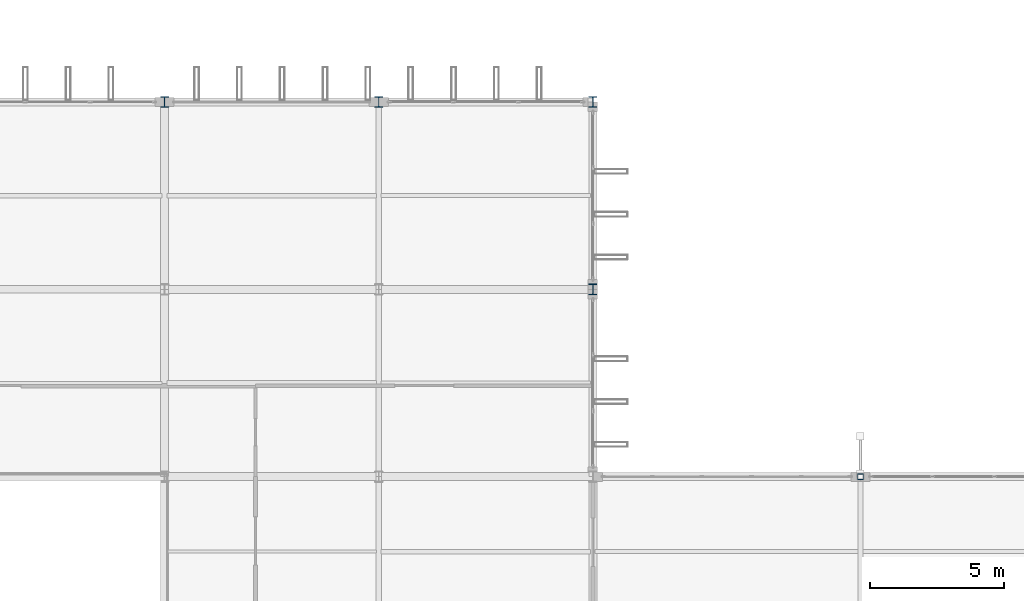
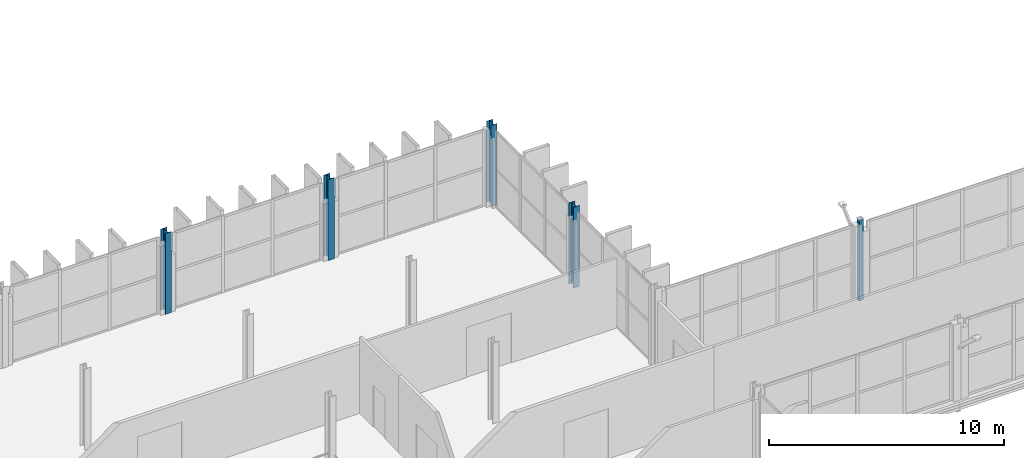
# One storey, part 8 of 101: 5 columns.
"""IFC4 building model written with IfcOpenShell, lengths in metres."""

from ifc_helpers import new_model, si_unit, direction, frame, origin, origin_2d, place, context, subcontext, project, spatial, hollow_rectangle, i_section, extrude, material, material_profile, profile_set, type_object, element, save


model = new_model("IFC4")

# Units and contexts
model_context = context("Model", 3, precision=1e-05, world=origin(), true_north=direction((0.0, 1.0)))
body_context = subcontext(model_context, "Body", "Model", "MODEL_VIEW")
ifc_project = project(units=[si_unit("LENGTHUNIT", "METRE"), si_unit("AREAUNIT", "SQUARE_METRE"), si_unit("VOLUMEUNIT", "CUBIC_METRE"), si_unit("PLANEANGLEUNIT", "RADIAN"), si_unit("MASSUNIT", "GRAM", prefix="KILO")], contexts=[model_context])

# Site, building, storey
site_placement = place(None, origin())
site = spatial("IfcSite", under=ifc_project, at=site_placement, CompositionType="ELEMENT")
building_placement = place(site_placement, origin())
building = spatial("IfcBuilding", under=site, at=building_placement, Name="Vekula Escarpment Museum", CompositionType="ELEMENT")
storey_placement = place(building_placement, frame((0.0, 0.0, 18.0)))
storey = spatial("IfcBuildingStorey", under=building, at=storey_placement, Name="L04", CompositionType="ELEMENT", Elevation=18.0)

# Columns
ifc_material_1 = material(Name="Steel S355", Category="steel")
ifc_material_profile_1 = material_profile(ifc_material_1, i_section(OverallWidth=0.300048828125, OverallDepth=0.39990234375, WebThickness=0.013427734375, FlangeThickness=0.02392578125, FilletRadius=0.027099609375, at=origin_2d()), Name="HEB 400")
ifc_profile_set_1 = profile_set([ifc_material_profile_1], Name="Steel S355")
column_type_1 = type_object("IfcColumnType", Name="COL-S-HEB400", PredefinedType="COLUMN", material=ifc_profile_set_1)
for number, where, z_axis, x_axis, name in (
    (1, (110.0, 90.39990234375, 0.0), (0.0, 0.0, 1.0), (1.0, 0.0, 0.0), "Column L04 (110.0,90.4)"),
    (2, (118.0, 90.39990234375, 0.0), (0.0, 0.0, 1.0), (1.0, 0.0, 0.0), "Column L04 (118.0,90.4)"),
    (3, (126.0, 83.39990234375, 0.0), (0.0, 0.0, 1.0), (1.0, 0.0, 0.0), "Column L04 (126.0,83.4)"),
    (4, (126.0, 90.39990234375, 0.0), (0.0, 0.0, 1.0), (1.0, 0.0, 0.0), "Column L04 (126.0,90.4)"),
):
    element("IfcColumn", number, at=place(storey_placement, frame(where, z_axis=z_axis, x_axis=x_axis)), inside=storey, type_object=column_type_1, Name=name, PredefinedType="COLUMN", context=body_context, shape_type="SweptSolid", body=[
        extrude(i_section(OverallWidth=0.300048828125, OverallDepth=0.39990234375, WebThickness=0.013427734375, FlangeThickness=0.02392578125, FilletRadius=0.027099609375, at=origin_2d()), origin(), (0.0, 0.0, 1.0), 4.199951171875),
    ])
ifc_material_2 = material(Name="Steel S355", Category="steel")
ifc_material_profile_2 = material_profile(ifc_material_2, hollow_rectangle(XDim=0.219970703125, YDim=0.219970703125, WallThickness=0.011962890625, InnerFilletRadius=0.011962890625, OuterFilletRadius=0.02392578125, at=origin_2d()), Name="SHS 220x220x12")
ifc_profile_set_2 = profile_set([ifc_material_profile_2], Name="Steel S355")
column_type_2 = type_object("IfcColumnType", Name="COL-S-SHS220", PredefinedType="COLUMN", material=ifc_profile_set_2)
column_placement = place(storey_placement, frame((136.0, 76.39990234375, 0.0), z_axis=(0.0, 0.0, 1.0), x_axis=(1.0, 0.0, 0.0)))
element("IfcColumn", 5, at=column_placement, inside=storey, type_object=column_type_2, Name="Column L04 (136.0,76.4)", PredefinedType="COLUMN", context=body_context, shape_type="SweptSolid", body=[
    extrude(hollow_rectangle(XDim=0.219970703125, YDim=0.219970703125, WallThickness=0.011962890625, InnerFilletRadius=0.011962890625, OuterFilletRadius=0.02392578125, at=origin_2d()), origin(), (0.0, 0.0, 1.0), 4.199951171875),
])

save(model, "model.ifc")
